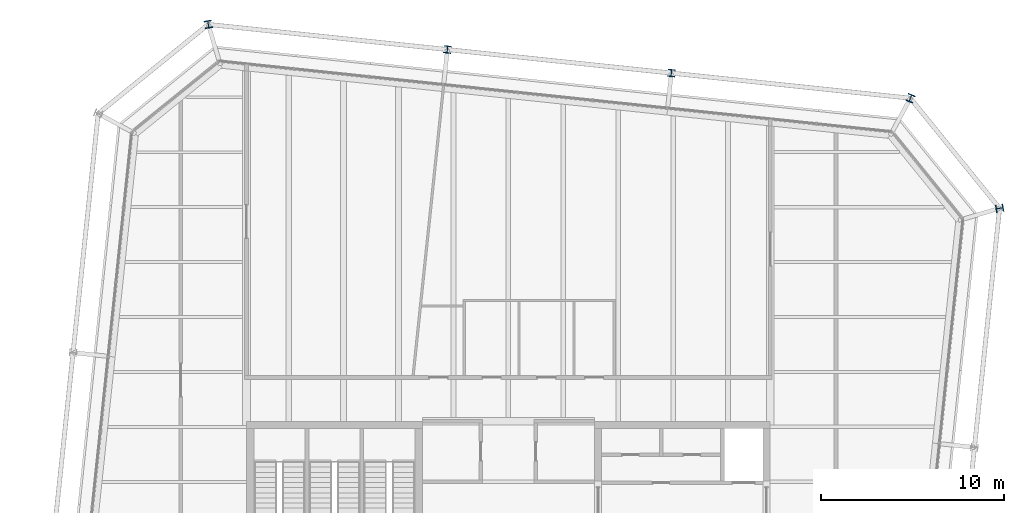
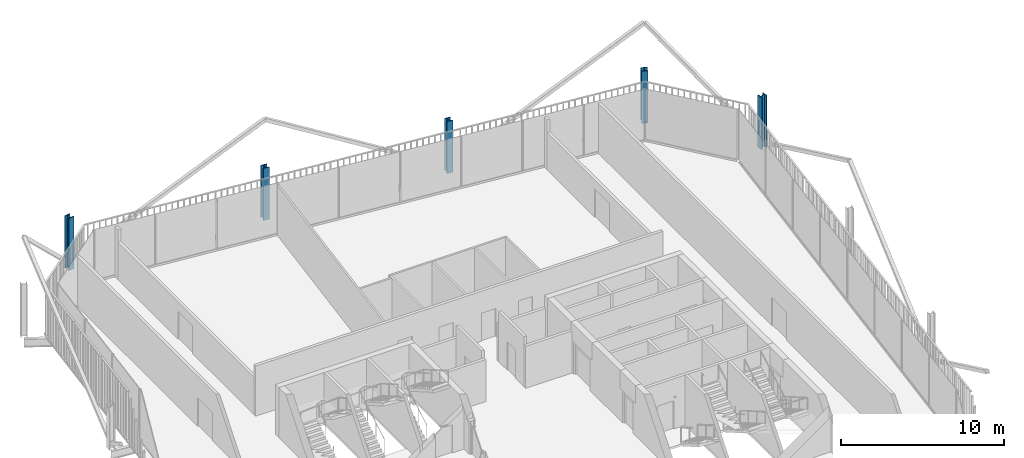
# One storey, part 2 of 21: 5 columns.
"""IFC4 building model written with IfcOpenShell, lengths in metres."""

from ifc_helpers import new_model, si_unit, direction, frame, origin, origin_2d, place, context, subcontext, project, spatial, i_section, extrude, material, material_profile, profile_set, type_object, element, save


model = new_model("IFC4")

# Units and contexts
model_context = context("Model", 3, precision=1e-05, world=origin(), true_north=direction((0.0, 1.0)))
body_context = subcontext(model_context, "Body", "Model", "MODEL_VIEW")
ifc_project = project(units=[si_unit("LENGTHUNIT", "METRE"), si_unit("AREAUNIT", "SQUARE_METRE"), si_unit("VOLUMEUNIT", "CUBIC_METRE"), si_unit("PLANEANGLEUNIT", "RADIAN"), si_unit("MASSUNIT", "GRAM", prefix="KILO")], contexts=[model_context])

# Site, building, storey
site_placement = place(None, origin())
site = spatial("IfcSite", under=ifc_project, at=site_placement, CompositionType="ELEMENT")
building_placement = place(site_placement, origin())
building = spatial("IfcBuilding", under=site, at=building_placement, Name="Millrace Tower", CompositionType="ELEMENT")
storey_placement = place(building_placement, frame((0.0, 0.0, 326.5)))
storey = spatial("IfcBuildingStorey", under=building, at=storey_placement, Name="L75", CompositionType="ELEMENT", Elevation=326.5)

# Columns
ifc_material_1 = material(Name="Steel ASTM A913 Grade 65", Category="steel")
ifc_material_profile_1 = material_profile(ifc_material_1, i_section(OverallWidth=0.4013671875, OverallDepth=0.398681640625, WebThickness=0.02490234375, FlangeThickness=0.03955078125, FilletRadius=0.01513671875, at=origin_2d()))
ifc_profile_set_1 = profile_set([ifc_material_profile_1], Name="Steel ASTM A913 Grade 65")
column_type_1 = type_object("IfcColumnType", Name="Exoskeleton column W14x211", PredefinedType="COLUMN", material=ifc_profile_set_1)
for number, where, z_axis, x_axis, name in (
    (1, (8.9033203125, 28.321533203125, 0.0), (0.0, 0.0, 1.0), (-0.994521897246, 0.104528445407, 0.0), "COL-E-L75-X11"),
    (2, (-3.329345703125, 29.607177734375, 0.0), (0.0, 0.0, 1.0), (-0.994521897246, 0.104528445407, 0.0), "COL-E-L75-X12"),
):
    element("IfcColumn", number, at=place(storey_placement, frame(where, z_axis=z_axis, x_axis=x_axis)), inside=storey, type_object=column_type_1, Name=name, PredefinedType="COLUMN", context=body_context, shape_type="SweptSolid", body=[
        extrude(i_section(OverallWidth=0.4013671875, OverallDepth=0.398681640625, WebThickness=0.02490234375, FlangeThickness=0.03955078125, FilletRadius=0.01513671875, at=origin_2d()), origin(), (0.0, 0.0, 1.0), 3.89990234375),
    ])
ifc_material_2 = material(Name="Steel ASTM A913 Grade 65", Category="steel")
ifc_material_profile_2 = material_profile(ifc_material_2, i_section(OverallWidth=0.406494140625, OverallDepth=0.41650390625, WebThickness=0.030029296875, FlangeThickness=0.048095703125, FilletRadius=0.01513671875, at=origin_2d()))
ifc_profile_set_2 = profile_set([ifc_material_profile_2], Name="Steel ASTM A913 Grade 65")
column_type_2 = type_object("IfcColumnType", Name="Exoskeleton column W14x257", PredefinedType="COLUMN", material=ifc_profile_set_2)
for number, where, z_axis, x_axis, name in (
    (3, (26.82958984375, 20.935791015625, 0.0), (0.0, 0.0, 1.0), (-0.18038747256, 0.983595628164, 0.0), "COL-E-L75-X09"),
    (4, (21.9599609375, 26.94921875, 0.0), (0.0, 0.0, 1.0), (-0.92459700658, 0.380946683176, 0.0), "COL-E-L75-X10"),
    (5, (-16.3857421875, 30.9794921875, 0.0), (0.0, 0.0, 1.0), (-0.983595628164, -0.18038747256, 0.0), "COL-E-L75-X13"),
):
    element("IfcColumn", number, at=place(storey_placement, frame(where, z_axis=z_axis, x_axis=x_axis)), inside=storey, type_object=column_type_2, Name=name, PredefinedType="COLUMN", context=body_context, shape_type="SweptSolid", body=[
        extrude(i_section(OverallWidth=0.406494140625, OverallDepth=0.41650390625, WebThickness=0.030029296875, FlangeThickness=0.048095703125, FilletRadius=0.01513671875, at=origin_2d()), origin(), (0.0, 0.0, 1.0), 3.89990234375),
    ])

save(model, "model.ifc")
